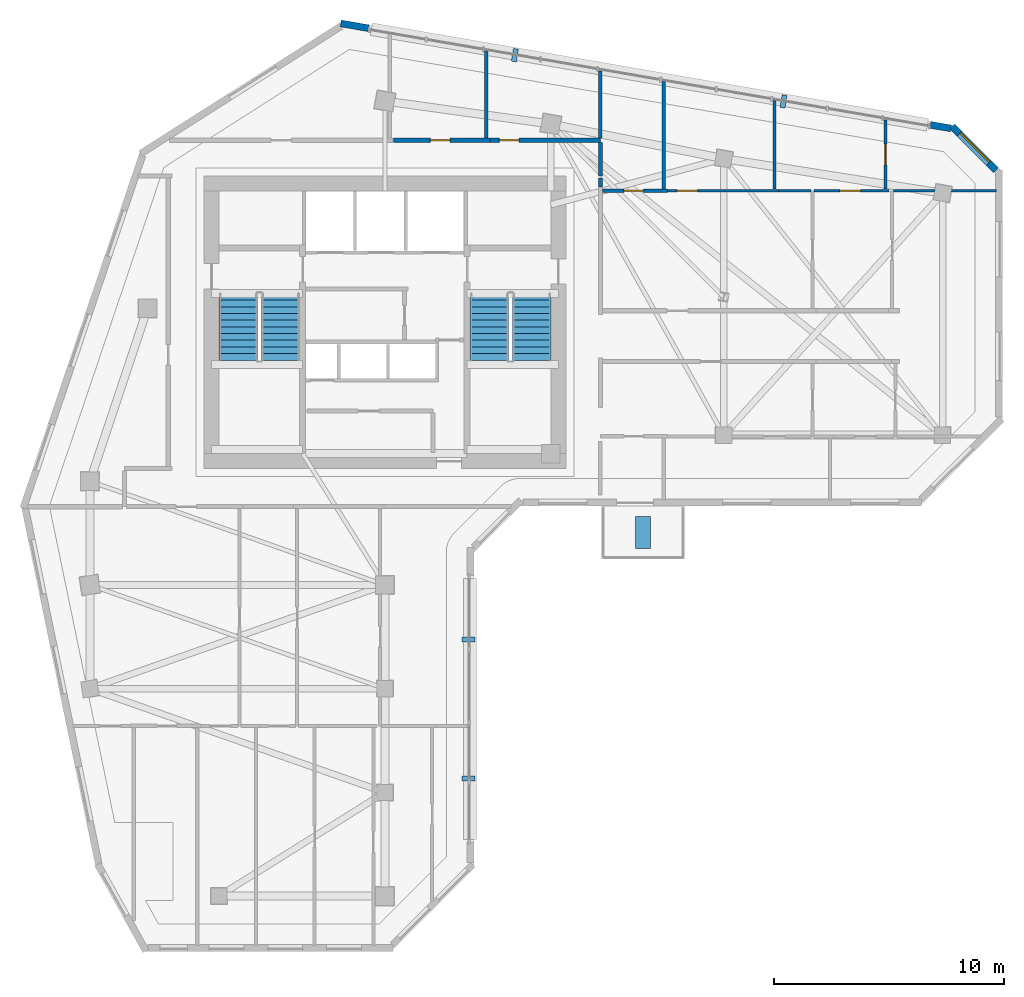
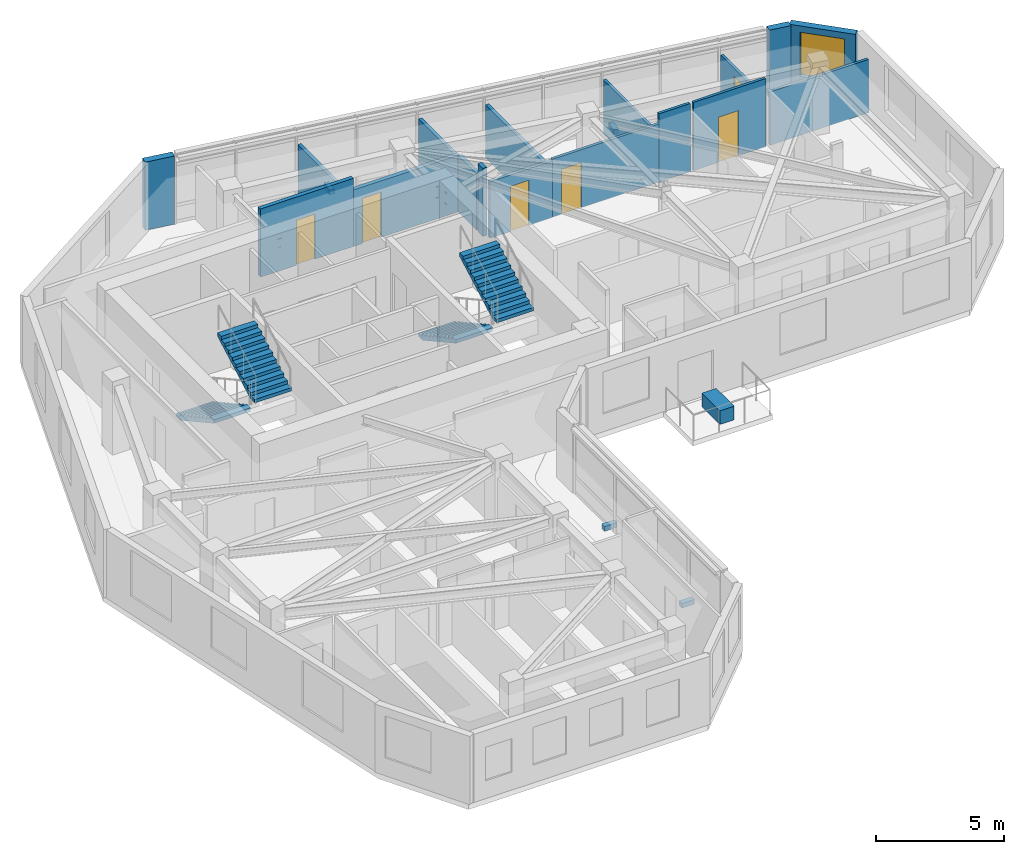
# One storey, part 8 of 11: 17 walls, 6 doors, 5 discrete accessories, 4 stair flights, 1 window, 7 openings, 2 elements without a shape of their own.
"""IFC4 building model written with IfcOpenShell, lengths in metres."""

import ifcopenshell
import ifcopenshell.guid

model = None  # the IFC model being written
_history = None  # IfcOwnerHistory: only IFC2X3 demands one
_inside = {}  # id of a spatial element -> (the spatial element, [elements in it])
_under = {}  # id of a project, library or spatial element -> (it, [spatial elements below it])
_declared = {}  # id of a project -> (the project, [libraries it declares])
_typed = {}  # id of a type object -> (the type object, [elements of that type])
_made_of = {}  # id of a material, layer set ... -> (it, [elements and type objects made of it])


def new_model(schema):
    """Start an empty IFC model of exactly this schema.

    Asked for "IFC4X3", IfcOpenShell would pick the latest addendum, in which some entities
    have other attributes; the version numbers below select the first issue.
    IFC2X3 requires an IfcOwnerHistory on every rooted entity: one is made here for all.
    """
    global model, _history
    if schema == "IFC4X3":
        model = ifcopenshell.file(schema_version=(4, 3, 0, 0))
    else:
        model = ifcopenshell.file(schema=schema)
    _inside.clear()
    _under.clear()
    _declared.clear()
    _typed.clear()
    _made_of.clear()
    _history = None
    if model.schema == "IFC2X3":
        org = make("IfcOrganization", Name="unknown")
        user = make(
            "IfcPersonAndOrganization",
            ThePerson=make("IfcPerson", FamilyName="unknown"),
            TheOrganization=org,
        )
        app = make(
            "IfcApplication",
            ApplicationDeveloper=org,
            Version="unknown",
            ApplicationFullName="unknown",
            ApplicationIdentifier="unknown",
        )
        _history = make(
            "IfcOwnerHistory",
            OwningUser=user,
            OwningApplication=app,
            ChangeAction="ADDED",
            CreationDate=0,
        )
    return model


def make(cls, **values):
    """One entity of the class cls with the attributes given. An attribute that is None is left unset."""
    return model.create_entity(
        cls, **{name: value for name, value in values.items() if value is not None}
    )


def rooted(cls, **values):
    """An entity with a GlobalId (a new one), such as an element, a storey or a relation."""
    return make(cls, GlobalId=ifcopenshell.guid.new(), OwnerHistory=_history, **values)


def si_unit(unit_type, name, prefix=None):
    """IfcSIUnit, for example si_unit("LENGTHUNIT", "METRE", prefix="MILLI")."""
    return make("IfcSIUnit", UnitType=unit_type, Prefix=prefix, Name=name)


def assignment(units):
    """IfcUnitAssignment: the units of a project."""
    return None if units is None else make("IfcUnitAssignment", Units=units)


def point(xyz):
    """IfcCartesianPoint."""
    return None if xyz is None else make("IfcCartesianPoint", Coordinates=xyz)


def direction(xyz):
    """IfcDirection."""
    return None if xyz is None else make("IfcDirection", DirectionRatios=xyz)


def frame(location, z_axis=None, x_axis=None):
    """IfcAxis2Placement3D, a coordinate frame: its origin and axes. An axis left out is left unset."""
    return make(
        "IfcAxis2Placement3D",
        Location=point(location),
        Axis=direction(z_axis),
        RefDirection=direction(x_axis),
    )


def frame_2d(location, x_axis=None):
    """IfcAxis2Placement2D, a coordinate frame in the plane: its origin and x axis."""
    return make(
        "IfcAxis2Placement2D", Location=point(location), RefDirection=direction(x_axis)
    )


def origin():
    """The frame at (0, 0, 0) with its axes left unset."""
    return frame((0.0, 0.0, 0.0))


def origin_2d():
    """The frame at (0, 0) in the plane with its x axis left unset."""
    return frame_2d((0.0, 0.0))


def place(relative_to, where):
    """IfcLocalPlacement: puts the frame where relative to a parent placement (None: the world)."""
    return make(
        "IfcLocalPlacement", PlacementRelTo=relative_to, RelativePlacement=where
    )


def context(
    kind, dimensions, precision=None, world=None, true_north=None, identifier=None
):
    """IfcGeometricRepresentationContext, for example the 3D "Model" context."""
    return make(
        "IfcGeometricRepresentationContext",
        ContextIdentifier=identifier,
        ContextType=kind,
        CoordinateSpaceDimension=dimensions,
        Precision=precision,
        WorldCoordinateSystem=world,
        TrueNorth=true_north,
    )


def subcontext(parent, identifier, kind, view, scale=None):
    """IfcGeometricRepresentationSubContext, for example "Body" below "Model"."""
    return make(
        "IfcGeometricRepresentationSubContext",
        ContextIdentifier=identifier,
        ContextType=kind,
        ParentContext=parent,
        TargetScale=scale,
        TargetView=view,
    )


def project(units=None, contexts=None):
    """IfcProject with its units and contexts."""
    return rooted(
        "IfcProject",
        Name="project",
        RepresentationContexts=contexts,
        UnitsInContext=assignment(units),
    )


def spatial(cls, under=None, at=None, **own):
    """A site, building, storey or space (cls), placed at a placement, below another one or the project."""
    s = rooted(cls, ObjectPlacement=at, **own)
    if under is not None:
        _under.setdefault(under.id(), (under, []))[1].append(s)
    return s


def polyline(points):
    """IfcPolyline through the points."""
    return make("IfcPolyline", Points=[point(p) for p in points])


def profile(cls, at=None, kind="AREA", **sizes):
    """A parametric profile (cls). Its sizes go by their IFC names, for example OverallWidth=200.0."""
    return make(cls, ProfileType=kind, Position=at, **sizes)


def rectangle(**sizes):
    """IfcRectangleProfileDef."""
    return profile("IfcRectangleProfileDef", **sizes)


def outline(outer, holes=None, kind="AREA"):
    """IfcArbitraryClosedProfileDef: a profile drawn as a closed curve; with holes, ...WithVoids."""
    if holes is None:
        return make("IfcArbitraryClosedProfileDef", ProfileType=kind, OuterCurve=outer)
    return make(
        "IfcArbitraryProfileDefWithVoids",
        ProfileType=kind,
        OuterCurve=outer,
        InnerCurves=holes,
    )


def extrude(swept, where, along, depth):
    """IfcExtrudedAreaSolid: the profile swept, set in the frame where, extruded along a direction by depth."""
    return make(
        "IfcExtrudedAreaSolid",
        SweptArea=swept,
        Position=where,
        ExtrudedDirection=direction(along),
        Depth=depth,
    )


def shape(context_of_items, identifier, shape_type, items):
    """IfcShapeRepresentation: the items that make up one representation, for example the "Body"."""
    return make(
        "IfcShapeRepresentation",
        ContextOfItems=context_of_items,
        RepresentationIdentifier=identifier,
        RepresentationType=shape_type,
        Items=items,
    )


def source(mapping_origin, context_of_items, identifier, shape_type, items):
    """IfcRepresentationMap: a shape defined once, which mapped items show again and again."""
    return make(
        "IfcRepresentationMap",
        MappingOrigin=mapping_origin,
        MappedRepresentation=shape(context_of_items, identifier, shape_type, items),
    )


def transform(
    local_origin,
    x_axis=None,
    y_axis=None,
    z_axis=None,
    scale=None,
    scale2=None,
    scale3=None,
    uniform=True,
):
    """IfcCartesianTransformationOperator3D, or its non-uniform kind. x_axis, y_axis, z_axis: its Axis1, 2, 3."""
    if uniform:
        return make(
            "IfcCartesianTransformationOperator3D",
            Axis1=direction(x_axis),
            Axis2=direction(y_axis),
            LocalOrigin=point(local_origin),
            Scale=scale,
            Axis3=direction(z_axis),
        )
    return make(
        "IfcCartesianTransformationOperator3DnonUniform",
        Axis1=direction(x_axis),
        Axis2=direction(y_axis),
        LocalOrigin=point(local_origin),
        Scale=scale,
        Axis3=direction(z_axis),
        Scale2=scale2,
        Scale3=scale3,
    )


def mapped(mapping_source, mapping_target):
    """IfcMappedItem: shows the shape of a source again, moved by a transform."""
    return make(
        "IfcMappedItem", MappingSource=mapping_source, MappingTarget=mapping_target
    )


def material(Name=None, Category=None):
    """IfcMaterial."""
    return make("IfcMaterial", Name=Name, Category=Category)


def layer(
    of_material, thickness, ventilated=None, Name=None, Category=None, Priority=None
):
    """IfcMaterialLayer: one layer of a wall or slab, of a material (None: an air gap)."""
    return make(
        "IfcMaterialLayer",
        Material=of_material,
        LayerThickness=thickness,
        IsVentilated=ventilated,
        Name=Name,
        Category=Category,
        Priority=Priority,
    )


def layer_set(layers, Name=None):
    """IfcMaterialLayerSet."""
    return make("IfcMaterialLayerSet", MaterialLayers=layers, LayerSetName=Name)


def made_of(thing, what):
    """Note that an element or type object is made of a material, layer set ...; save() writes the relation."""
    if what is not None:
        _made_of.setdefault(what.id(), (what, []))[1].append(thing)
    return thing


def type_object(cls, material=None, **own):
    """A type object (cls), such as IfcWallType, which elements share."""
    return made_of(rooted(cls, **own), material)


def element(
    cls,
    number,
    at=None,
    inside=None,
    cuts=None,
    type_object=None,
    material=None,
    context=None,
    identifier="Body",
    shape_type=None,
    held_by="IfcProductDefinitionShape",
    body=None,
    shapes=None,
    **own,
):
    """One element of the class cls, such as IfcWall. Its Tag is "e" and its number.

    at: its placement. inside: the storey or other place that contains it. cuts: it is an
    opening in that element (IfcRelVoidsElement). A single representation is given by context,
    identifier, shape_type and body (its items); several are given by shapes. held_by: the class
    of the entity that holds the representations. save() writes the other relations.
    """
    e = rooted(cls, Tag="e%d" % number, ObjectPlacement=at, **own)
    if body is not None:
        shapes = [shape(context, identifier, shape_type, body)]
    if shapes is not None:
        e.Representation = make(held_by, Representations=shapes)
    if inside is not None:
        _inside.setdefault(inside.id(), (inside, []))[1].append(e)
    if cuts is not None:
        rooted(
            "IfcRelVoidsElement", RelatingBuildingElement=cuts, RelatedOpeningElement=e
        )
    if type_object is not None:
        _typed.setdefault(type_object.id(), (type_object, []))[1].append(e)
    return made_of(e, material)


def fill(opening, filler):
    """IfcRelFillsElement: the door or window that sits in an opening."""
    return rooted(
        "IfcRelFillsElement",
        RelatingOpeningElement=opening,
        RelatedBuildingElement=filler,
    )


def aggregate(whole, parts):
    """IfcRelAggregates: a whole, such as a stair, and the parts it consists of."""
    return rooted("IfcRelAggregates", RelatingObject=whole, RelatedObjects=parts)


def save(model, path):
    """Write the relations noted so far, then the file.

    IfcRelAggregates (storeys below a building ...), IfcRelContainedInSpatialStructure (elements
    in a storey), IfcRelDefinesByType, IfcRelAssociatesMaterial and IfcRelDeclares: one each for
    every whole, place, type object, material and project.
    """
    for whole, parts in _under.values():
        aggregate(whole, parts)
    for where, things in _inside.values():
        rooted(
            "IfcRelContainedInSpatialStructure",
            RelatedElements=things,
            RelatingStructure=where,
        )
    for kind, things in _typed.values():
        rooted("IfcRelDefinesByType", RelatedObjects=things, RelatingType=kind)
    for what, things in _made_of.values():
        rooted("IfcRelAssociatesMaterial", RelatedObjects=things, RelatingMaterial=what)
    for by, libraries in _declared.values():
        rooted("IfcRelDeclares", RelatingContext=by, RelatedDefinitions=libraries)
    model.write(path)


model = new_model("IFC4")

# Units and contexts
model_context = context("Model", 3, precision=1e-05, world=origin(), true_north=direction((0.0, 1.0)))
body_context = subcontext(model_context, "Body", "Model", "MODEL_VIEW")
ifc_project = project(units=[si_unit("LENGTHUNIT", "METRE"), si_unit("AREAUNIT", "SQUARE_METRE"), si_unit("VOLUMEUNIT", "CUBIC_METRE"), si_unit("PLANEANGLEUNIT", "RADIAN"), si_unit("MASSUNIT", "GRAM", prefix="KILO")], contexts=[model_context])

# Site, building, storey
site_placement = place(None, origin())
site = spatial("IfcSite", under=ifc_project, at=site_placement, CompositionType="ELEMENT")
building_placement = place(site_placement, origin())
building = spatial("IfcBuilding", under=site, at=building_placement, Name="Calvemar Wedge Station Tower", CompositionType="ELEMENT")
storey_placement = place(building_placement, frame((0.0, 0.0, 183.39990234375)))
storey = spatial("IfcBuildingStorey", under=building, at=storey_placement, Name="L45", CompositionType="ELEMENT", Elevation=183.39990234375)

# Wall, opening, door
ifc_material_1 = material(Name="Double-stud fire-rated corridor partition")
ifc_layer_1 = layer(ifc_material_1, 0.179931640625)
ifc_layer_set_1 = layer_set([ifc_layer_1], Name="Double-stud fire-rated corridor partition")
wall_type_1 = type_object("IfcWallType", Name="W-CORR-180", PredefinedType="PARTITIONING", material=ifc_layer_set_1)
wall_1_placement = place(storey_placement, frame((24.162109375, 47.800048828125, 0.0), z_axis=(0.0, 0.0, 1.0), x_axis=(1.0, 0.0, 0.0)))
wall_1 = element("IfcWall", 1, at=wall_1_placement, inside=storey, type_object=wall_type_1, Name="Storey L45 Interior Partition WL-L45-015", PredefinedType="PARTITIONING", context=body_context, shape_type="SweptSolid", body=[
    extrude(rectangle(XDim=4.197998046875, YDim=0.179931640625, at=frame_2d((2.09912109375, 0.0))), origin(), (0.0, 0.0, 1.0), 3.25),
])
shared_shape_1 = source(origin(), body_context, "Body", "SweptSolid", [
    extrude(rectangle(XDim=0.85009765625, YDim=2.14990234375, at=frame_2d((0.425048828125, 1.074951171875))), frame((0.0, 0.10009765625, 0.0), z_axis=(0.0, -1.0, 0.0), x_axis=(1.0, 0.0, 0.0)), (0.0, 0.0, 1.0), 0.199951171875),
])
opening_1_placement = place(wall_1_placement, frame((1.61328125, 0.0, 0.0)))
opening_1 = element("IfcOpeningElement", 2, at=opening_1_placement, cuts=wall_1, Name="Opening D-02", PredefinedType="OPENING", context=body_context, shape_type="MappedRepresentation", body=[
    mapped(shared_shape_1, transform((0.0, 0.0, 0.0), scale=1.0)),
])
ifc_material_2 = material(Name="Moisture-sealed bathroom hardwood swing door", Category="wood")
door_type_1 = type_object("IfcDoorType", Name="DR-WET-850", OperationType="NOTDEFINED", PredefinedType="DOOR", material=ifc_material_2)
shared_shape_2 = source(origin(), body_context, "Body", "SweptSolid", [
    extrude(rectangle(XDim=0.85009765625, YDim=2.14990234375, at=frame_2d((0.425048828125, 1.074951171875))), frame((0.0, 0.02490234375, 0.0), z_axis=(0.0, -1.0, 0.0), x_axis=(1.0, 0.0, 0.0)), (0.0, 0.0, 1.0), 0.050048828125),
])
door_1_placement = place(opening_1_placement, origin())
door_1 = element("IfcDoor", 3, at=door_1_placement, inside=storey, type_object=door_type_1, Name="L45 Accessible WC Door", OperationType="SINGLE_SWING_LEFT", OverallHeight=2.14990234375, OverallWidth=0.85009765625, PredefinedType="DOOR", context=body_context, shape_type="MappedRepresentation", body=[
    mapped(shared_shape_2, transform((0.0, 0.0, 0.0), scale=1.0)),
])
fill(opening_1, door_1)

wall_2_placement = place(storey_placement, frame((28.362060546875, 47.800048828125, 0.0), z_axis=(0.0, 0.0, 1.0), x_axis=(1.0, 0.0, 0.0)))
wall_2 = element("IfcWall", 4, at=wall_2_placement, inside=storey, type_object=wall_type_1, Name="Storey L45 Interior Partition WL-L45-016", PredefinedType="PARTITIONING", context=body_context, shape_type="SweptSolid", body=[
    extrude(rectangle(XDim=4.787841796875, YDim=0.179931640625, at=frame_2d((2.39404296875, 0.0))), origin(), (0.0, 0.0, 1.0), 2.68798828125),
])
opening_2_placement = place(wall_2_placement, frame((0.400634765625, 0.0, 0.0)))
opening_2 = element("IfcOpeningElement", 5, at=opening_2_placement, cuts=wall_2, Name="Opening D-02", PredefinedType="OPENING", context=body_context, shape_type="MappedRepresentation", body=[
    mapped(shared_shape_1, transform((0.0, 0.0, 0.0), scale=1.0)),
])
door_2_placement = place(opening_2_placement, origin())
door_2 = element("IfcDoor", 6, at=door_2_placement, inside=storey, type_object=door_type_1, Name="L45 Storage Room Door", OperationType="SINGLE_SWING_RIGHT", OverallHeight=2.14990234375, OverallWidth=0.85009765625, PredefinedType="DOOR", context=body_context, shape_type="MappedRepresentation", body=[
    mapped(shared_shape_2, transform((0.0, 0.0, 0.0), scale=1.0)),
])
fill(opening_2, door_2)

# Walls
wall_3_placement = place(storey_placement, frame((33.14990234375, 47.7060546875, 0.0), z_axis=(0.0, 0.0, 1.0), x_axis=(0.0, -1.0, 0.0)))
element("IfcWall", 7, at=wall_3_placement, inside=storey, type_object=wall_type_1, Name="Storey L45 Interior Partition WL-L45-017", PredefinedType="PARTITIONING", context=body_context, shape_type="SweptSolid", body=[
    extrude(rectangle(XDim=1.4560546875, YDim=0.179931640625, at=frame_2d((0.72802734375, 0.0))), origin(), (0.0, 0.0, 1.0), 2.68798828125),
])
wall_4_placement = place(storey_placement, frame((33.14990234375, 46.156005859375, 0.0), z_axis=(0.0, 0.0, 1.0), x_axis=(0.0, -1.0, 0.0)))
element("IfcWall", 8, at=wall_4_placement, inside=storey, type_object=wall_type_1, Name="Storey L45 Interior Partition WL-L45-019", PredefinedType="PARTITIONING", context=body_context, shape_type="SweptSolid", body=[
    extrude(rectangle(XDim=0.387939453125, YDim=0.179931640625, at=frame_2d((0.19384765625, 0.0))), origin(), (0.0, 0.0, 1.0), 3.25),
])

# Wall, opening, window
ifc_material_3 = material(Name="Precast concrete C45", Category="concrete")
ifc_layer_2 = layer(ifc_material_3, 0.300048828125)
ifc_layer_set_2 = layer_set([ifc_layer_2], Name="Precast concrete C45")
wall_type_2 = type_object("IfcWallType", Name="W-EXT-GFRC-300", PredefinedType="SOLIDWALL", material=ifc_layer_set_2)
wall_5_placement = place(storey_placement, frame((50.31201171875, 46.5, 0.0), z_axis=(0.0, 0.0, 1.0), x_axis=(-0.707106781187, 0.707106781187, 0.0)))
wall_5 = element("IfcWall", 9, at=wall_5_placement, inside=storey, type_object=wall_type_2, Name="Storey L45 Bronze GFRC Exterior Wall 9", PredefinedType="SOLIDWALL", context=body_context, shape_type="SweptSolid", body=[
    extrude(rectangle(XDim=2.67333984375, YDim=0.300048828125, at=frame_2d((1.336669921875, 0.0))), origin(), (0.0, 0.0, 1.0), 3.25),
])
shared_shape_3 = source(origin(), body_context, "Body", "SweptSolid", [
    extrude(rectangle(XDim=1.800048828125, YDim=2.10009765625, at=frame_2d((0.89990234375, 1.050048828125))), frame((0.0, 0.16015625, 0.0), z_axis=(0.0, -1.0, 0.0), x_axis=(1.0, 0.0, 0.0)), (0.0, 0.0, 1.0), 0.320068359375),
])
opening_3_placement = place(wall_5_placement, frame((0.43701171875, 0.0, 0.85009765625)))
opening_3 = element("IfcOpeningElement", 10, at=opening_3_placement, cuts=wall_5, Name="Opening W2", PredefinedType="OPENING", context=body_context, shape_type="MappedRepresentation", body=[
    mapped(shared_shape_3, transform((0.0, 0.0, 0.0), scale=1.0)),
])
ifc_material_4 = material(Name="Low-E laminated insulated glass", Category="glass")
window_type = type_object("IfcWindowType", Name="WIN-EXT-2", PartitioningType="SINGLE_PANEL", PredefinedType="WINDOW", material=ifc_material_4)
shared_shape_4 = source(origin(), body_context, "Body", "SweptSolid", [
    extrude(rectangle(XDim=1.800048828125, YDim=2.10009765625, at=frame_2d((0.89990234375, 1.050048828125))), frame((0.0, -0.014892578125, 0.0), z_axis=(0.0, -1.0, 0.0), x_axis=(1.0, 0.0, 0.0)), (0.0, 0.0, 1.0), 0.06005859375),
])
window_placement = place(opening_3_placement, origin())
window = element("IfcWindow", 11, at=window_placement, inside=storey, type_object=window_type, Name="Storey L45 Recessed Window 9.1", OverallHeight=2.10009765625, OverallWidth=1.800048828125, PartitioningType="SINGLE_PANEL", PredefinedType="WINDOW", context=body_context, shape_type="MappedRepresentation", body=[
    mapped(shared_shape_4, transform((0.0, 0.0, 0.0), scale=1.0)),
])
fill(opening_3, window)

# Walls
wall_6_placement = place(storey_placement, frame((48.361083984375, 48.31298828125, 0.0), z_axis=(0.0, 0.0, 1.0), x_axis=(-0.985560806516, 0.169321872949, 0.0)))
element("IfcWall", 12, at=wall_6_placement, inside=storey, type_object=wall_type_2, Name="Storey L45 Bronze GFRC Corner Pier 10A", PredefinedType="SOLIDWALL", context=body_context, shape_type="SweptSolid", body=[
    extrude(rectangle(XDim=0.908447265625, YDim=0.300048828125, at=frame_2d((0.4541015625, 0.0))), origin(), (0.0, 0.0, 1.0), 3.25),
])
wall_7_placement = place(storey_placement, frame((23.093505859375, 52.65966796875, 0.0), z_axis=(0.0, 0.0, 1.0), x_axis=(-0.985503719785, 0.169653818966, 0.0)))
element("IfcWall", 13, at=wall_7_placement, inside=storey, type_object=wall_type_2, Name="Storey L45 Bronze GFRC Corner Pier 10B", PredefinedType="SOLIDWALL", context=body_context, shape_type="SweptSolid", body=[
    extrude(rectangle(XDim=1.2275390625, YDim=0.300048828125, at=frame_2d((0.61376953125, 0.0))), origin(), (0.0, 0.0, 1.0), 3.25),
])
ifc_material_5 = material(Name="Insulated acoustic gypsum stud partition")
ifc_layer_3 = layer(ifc_material_5, 0.125)
ifc_layer_set_3 = layer_set([ifc_layer_3], Name="Insulated acoustic gypsum stud partition")
wall_type_3 = type_object("IfcWallType", Name="W-PART-125", PredefinedType="PARTITIONING", material=ifc_layer_set_3)
wall_8_placement = place(storey_placement, frame((45.87451171875, 45.60595703125, 0.0), z_axis=(0.0, 0.0, 1.0), x_axis=(1.0, 0.0, 0.0)))
element("IfcWall", 14, at=wall_8_placement, inside=storey, type_object=wall_type_3, Name="Storey L45 Interior Partition WL-L45-032", PredefinedType="PARTITIONING", context=body_context, shape_type="SweptSolid", body=[
    extrude(rectangle(XDim=4.46044921875, YDim=0.125, at=frame_2d((2.230224609375, 0.0))), origin(), (0.0, 0.0, 1.0), 2.5419921875),
])

# Wall, opening, door
wall_9_placement = place(storey_placement, frame((36.06201171875, 45.60595703125, 0.0), z_axis=(0.0, 0.0, 1.0), x_axis=(1.0, 0.0, 0.0)))
wall_9 = element("IfcWall", 15, at=wall_9_placement, inside=storey, type_object=wall_type_3, Name="Storey L45 Interior Partition WL-L45-035", PredefinedType="PARTITIONING", context=body_context, shape_type="SweptSolid", body=[
    extrude(rectangle(XDim=4.81005859375, YDim=0.125, at=frame_2d((2.405029296875, 0.0))), origin(), (0.0, 0.0, 1.0), 2.76611328125),
])
shared_shape_5 = source(origin(), body_context, "Body", "SweptSolid", [
    extrude(rectangle(XDim=0.89990234375, YDim=2.14990234375, at=frame_2d((0.449951171875, 1.074951171875))), frame((0.0, 0.072509765625, 0.0), z_axis=(0.0, -1.0, 0.0), x_axis=(1.0, 0.0, 0.0)), (0.0, 0.0, 1.0), 0.14501953125),
])
opening_4_placement = place(wall_9_placement, frame((0.404052734375, 0.0, 0.0)))
opening_4 = element("IfcOpeningElement", 16, at=opening_4_placement, cuts=wall_9, Name="Opening D-01", PredefinedType="OPENING", context=body_context, shape_type="MappedRepresentation", body=[
    mapped(shared_shape_5, transform((0.0, 0.0, 0.0), scale=1.0)),
])
ifc_material_6 = material(Name="Architectural hardwood acoustic swing door", Category="wood")
door_type_2 = type_object("IfcDoorType", Name="DR-INT-900", OperationType="NOTDEFINED", PredefinedType="DOOR", material=ifc_material_6)
shared_shape_6 = source(origin(), body_context, "Body", "SweptSolid", [
    extrude(rectangle(XDim=0.89990234375, YDim=2.14990234375, at=frame_2d((0.449951171875, 1.074951171875))), frame((0.0, 0.02490234375, 0.0), z_axis=(0.0, -1.0, 0.0), x_axis=(1.0, 0.0, 0.0)), (0.0, 0.0, 1.0), 0.050048828125),
])
door_3_placement = place(opening_4_placement, origin())
door_3 = element("IfcDoor", 17, at=door_3_placement, inside=storey, type_object=door_type_2, Name="L45 Master Bedroom Door", OperationType="SINGLE_SWING_LEFT", OverallHeight=2.14990234375, OverallWidth=0.89990234375, PredefinedType="DOOR", context=body_context, shape_type="MappedRepresentation", body=[
    mapped(shared_shape_6, transform((0.0, 0.0, 0.0), scale=1.0)),
])
fill(opening_4, door_3)

# Wall
wall_10_placement = place(storey_placement, frame((40.8740234375, 45.60595703125, 0.0), z_axis=(0.0, 0.0, 1.0), x_axis=(1.0, 0.0, 0.0)))
element("IfcWall", 18, at=wall_10_placement, inside=storey, type_object=wall_type_3, Name="Storey L45 Interior Partition WL-L45-036", PredefinedType="PARTITIONING", context=body_context, shape_type="SweptSolid", body=[
    extrude(rectangle(XDim=1.409423828125, YDim=0.125, at=frame_2d((0.70458984375, 0.0))), origin(), (0.0, 0.0, 1.0), 3.25),
])

# Wall, opening, door
wall_11_placement = place(storey_placement, frame((42.41650390625, 45.60595703125, 0.0), z_axis=(0.0, 0.0, 1.0), x_axis=(1.0, 0.0, 0.0)))
wall_11 = element("IfcWall", 19, at=wall_11_placement, inside=storey, type_object=wall_type_3, Name="Storey L45 Interior Partition WL-L45-037", PredefinedType="PARTITIONING", context=body_context, shape_type="SweptSolid", body=[
    extrude(rectangle(XDim=3.2666015625, YDim=0.125, at=frame_2d((1.63330078125, 0.0))), origin(), (0.0, 0.0, 1.0), 3.25),
])
opening_5_placement = place(wall_11_placement, frame((1.123046875, 0.0, 0.0)))
opening_5 = element("IfcOpeningElement", 20, at=opening_5_placement, cuts=wall_11, Name="Opening D-01", PredefinedType="OPENING", context=body_context, shape_type="MappedRepresentation", body=[
    mapped(shared_shape_5, transform((0.0, 0.0, 0.0), scale=1.0)),
])
door_4_placement = place(opening_5_placement, origin())
door_4 = element("IfcDoor", 21, at=door_4_placement, inside=storey, type_object=door_type_2, Name="L45 Bedroom Door", OperationType="SINGLE_SWING_RIGHT", OverallHeight=2.14990234375, OverallWidth=0.89990234375, PredefinedType="DOOR", context=body_context, shape_type="MappedRepresentation", body=[
    mapped(shared_shape_6, transform((0.0, 0.0, 0.0), scale=1.0)),
])
fill(opening_5, door_4)

# Wall
wall_12_placement = place(storey_placement, frame((40.7119140625, 49.51220703125, 0.0), z_axis=(0.0, 0.0, 1.0), x_axis=(0.0, -1.0, 0.0)))
element("IfcWall", 22, at=wall_12_placement, inside=storey, type_object=wall_type_3, Name="Storey L45 Interior Partition WL-L45-039", PredefinedType="PARTITIONING", context=body_context, shape_type="SweptSolid", body=[
    extrude(rectangle(XDim=3.839599609375, YDim=0.125, at=frame_2d((1.919921875, 0.0))), origin(), (0.0, 0.0, 1.0), 2.5419921875),
])

# Wall, opening, door
wall_13_placement = place(storey_placement, frame((45.52294921875, 48.684326171875, 0.0), z_axis=(0.0, 0.0, 1.0), x_axis=(0.0, -1.0, 0.0)))
wall_13 = element("IfcWall", 23, at=wall_13_placement, inside=storey, type_object=wall_type_3, Name="Storey L45 Interior Partition WL-L45-040", PredefinedType="PARTITIONING", context=body_context, shape_type="SweptSolid", body=[
    extrude(rectangle(XDim=3.01171875, YDim=0.125, at=frame_2d((1.505859375, 0.0))), origin(), (0.0, 0.0, 1.0), 2.5419921875),
])
opening_6_placement = place(wall_13_placement, frame((1.055908203125, 0.0, 0.0)))
opening_6 = element("IfcOpeningElement", 24, at=opening_6_placement, cuts=wall_13, Name="Opening D-01", PredefinedType="OPENING", context=body_context, shape_type="MappedRepresentation", body=[
    mapped(shared_shape_5, transform((0.0, 0.0, 0.0), scale=1.0)),
])
door_5_placement = place(opening_6_placement, origin())
door_5 = element("IfcDoor", 25, at=door_5_placement, inside=storey, type_object=door_type_2, Name="L45 Study Door", OperationType="SINGLE_SWING_LEFT", OverallHeight=2.14990234375, OverallWidth=0.89990234375, PredefinedType="DOOR", context=body_context, shape_type="MappedRepresentation", body=[
    mapped(shared_shape_6, transform((0.0, 0.0, 0.0), scale=1.0)),
])
fill(opening_6, door_5)

# Walls
ifc_material_7 = material(Name="Moisture-resistant acoustic bathroom partition")
ifc_layer_4 = layer(ifc_material_7, 0.14990234375)
ifc_layer_set_4 = layer_set([ifc_layer_4], Name="Moisture-resistant acoustic bathroom partition")
wall_type_4 = type_object("IfcWallType", Name="W-WET-150", PredefinedType="PARTITIONING", material=ifc_layer_set_4)
wall_14_placement = place(storey_placement, frame((28.199951171875, 51.66455078125, 0.0), z_axis=(0.0, 0.0, 1.0), x_axis=(0.0, -1.0, 0.0)))
element("IfcWall", 26, at=wall_14_placement, inside=storey, type_object=wall_type_4, Name="Storey L45 Interior Partition WL-L45-023", PredefinedType="PARTITIONING", context=body_context, shape_type="SweptSolid", body=[
    extrude(rectangle(XDim=3.7705078125, YDim=0.14990234375, at=frame_2d((1.88525390625, 0.0))), origin(), (0.0, 0.0, 1.0), 2.5419921875),
])
wall_15_placement = place(storey_placement, frame((33.14990234375, 50.81298828125, 0.0), z_axis=(0.0, 0.0, 1.0), x_axis=(0.0, -1.0, 0.0)))
element("IfcWall", 27, at=wall_15_placement, inside=storey, type_object=wall_type_4, Name="Storey L45 Interior Partition WL-L45-024", PredefinedType="PARTITIONING", context=body_context, shape_type="SweptSolid", body=[
    extrude(rectangle(XDim=2.9189453125, YDim=0.14990234375, at=frame_2d((1.45947265625, 0.0))), origin(), (0.0, 0.0, 1.0), 2.5419921875),
])

# Wall, opening, door
wall_16_placement = place(storey_placement, frame((33.243896484375, 45.60595703125, 0.0), z_axis=(0.0, 0.0, 1.0), x_axis=(1.0, 0.0, 0.0)))
wall_16 = element("IfcWall", 28, at=wall_16_placement, inside=storey, type_object=wall_type_4, Name="Storey L45 Interior Partition WL-L45-034", PredefinedType="PARTITIONING", context=body_context, shape_type="SweptSolid", body=[
    extrude(rectangle(XDim=2.816162109375, YDim=0.14990234375, at=frame_2d((1.408203125, 0.0))), origin(), (0.0, 0.0, 1.0), 2.68798828125),
])
shared_shape_7 = source(origin(), body_context, "Body", "SweptSolid", [
    extrude(rectangle(XDim=0.85009765625, YDim=2.14990234375, at=frame_2d((0.425048828125, 1.074951171875))), frame((0.0, 0.0849609375, 0.0), z_axis=(0.0, -1.0, 0.0), x_axis=(1.0, 0.0, 0.0)), (0.0, 0.0, 1.0), 0.169921875),
])
opening_7_placement = place(wall_16_placement, frame((0.919189453125, 0.0, 0.0)))
opening_7 = element("IfcOpeningElement", 29, at=opening_7_placement, cuts=wall_16, Name="Opening D-02", PredefinedType="OPENING", context=body_context, shape_type="MappedRepresentation", body=[
    mapped(shared_shape_7, transform((0.0, 0.0, 0.0), scale=1.0)),
])
door_6_placement = place(opening_7_placement, origin())
door_6 = element("IfcDoor", 30, at=door_6_placement, inside=storey, type_object=door_type_1, Name="L45 Bathroom Door", OperationType="SINGLE_SWING_RIGHT", OverallHeight=2.14990234375, OverallWidth=0.85009765625, PredefinedType="DOOR", context=body_context, shape_type="MappedRepresentation", body=[
    mapped(shared_shape_2, transform((0.0, 0.0, 0.0), scale=1.0)),
])
fill(opening_7, door_6)

# Wall
wall_17_placement = place(storey_placement, frame((35.89990234375, 50.33984375, 0.0), z_axis=(0.0, 0.0, 1.0), x_axis=(0.0, -1.0, 0.0)))
element("IfcWall", 31, at=wall_17_placement, inside=storey, type_object=wall_type_4, Name="Storey L45 Interior Partition WL-L45-038", PredefinedType="PARTITIONING", context=body_context, shape_type="SweptSolid", body=[
    extrude(rectangle(XDim=4.65478515625, YDim=0.14990234375, at=frame_2d((2.327392578125, 0.0))), origin(), (0.0, 0.0, 1.0), 2.5419921875),
])

# Stair, stair flights
ifc_material_8 = material(Name="Concrete C45", Category="concrete")
stair_type = type_object("IfcStairType", Name="ST-TYPE-3500", PredefinedType="HALF_TURN_STAIR", material=ifc_material_8)
stair_1_placement = place(storey_placement, origin())
stair_1 = element("IfcStair", 32, at=stair_1_placement, inside=storey, type_object=stair_type, Name="L45 Pressurized Core Exit Stair ST-C1", PredefinedType="HALF_TURN_STAIR")
stair_flight_type = type_object("IfcStairFlightType", Name="STF-TYPE-3500", PredefinedType="STRAIGHT", material=ifc_material_8)
stair_flight_1_placement = place(storey_placement, frame((17.429931640625, 41.14990234375, 0.0), z_axis=(0.0, 0.0, 1.0), x_axis=(0.0, -1.0, 0.0)))
stair_flight_1 = element("IfcStairFlight", 33, at=stair_flight_1_placement, type_object=stair_flight_type, Name="ST-C1 flight 1", NumberOfRisers=11, NumberOfTreads=10, PredefinedType="STRAIGHT", RiserHeight=0.159090909, TreadLength=0.29, context=body_context, shape_type="SweptSolid", body=[
    extrude(outline(polyline([(0.0, 0.0), (0.0, 0.1591796875), (0.2900390625, 0.1591796875), (0.2900390625, 0.318115234375), (0.580078125, 0.318115234375), (0.580078125, 0.477294921875), (0.8701171875, 0.477294921875), (0.8701171875, 0.636474609375), (1.159912109375, 0.636474609375), (1.159912109375, 0.79541015625), (1.449951171875, 0.79541015625), (1.449951171875, 0.95458984375), (1.739990234375, 0.95458984375), (1.739990234375, 1.113525390625), (2.030029296875, 1.113525390625), (2.030029296875, 1.272705078125), (2.320068359375, 1.272705078125), (2.320068359375, 1.431884765625), (2.610107421875, 1.431884765625), (2.610107421875, 1.5908203125), (2.89990234375, 1.5908203125), (2.89990234375, 1.75), (2.89990234375, 1.419921875), (0.311767578125, 0.0), (0.0, 0.0)])), frame((0.0, 0.830078125, 0.0), z_axis=(0.0, -1.0, 0.0), x_axis=(1.0, 0.0, 0.0)), (0.0, 0.0, 1.0), 1.659912109375),
])
stair_flight_2_placement = place(storey_placement, frame((19.27001953125, 38.25, 1.75), z_axis=(0.0, 0.0, 1.0), x_axis=(0.0, 1.0, 0.0)))
stair_flight_2 = element("IfcStairFlight", 34, at=stair_flight_2_placement, type_object=stair_flight_type, Name="ST-C1 flight 2", NumberOfRisers=11, NumberOfTreads=10, PredefinedType="STRAIGHT", RiserHeight=0.159090909, TreadLength=0.29, context=body_context, shape_type="SweptSolid", body=[
    extrude(outline(polyline([(0.0, 0.0), (0.0, 0.1591796875), (0.2900390625, 0.1591796875), (0.2900390625, 0.318115234375), (0.580078125, 0.318115234375), (0.580078125, 0.477294921875), (0.8701171875, 0.477294921875), (0.8701171875, 0.636474609375), (1.159912109375, 0.636474609375), (1.159912109375, 0.79541015625), (1.449951171875, 0.79541015625), (1.449951171875, 0.95458984375), (1.739990234375, 0.95458984375), (1.739990234375, 1.113525390625), (2.030029296875, 1.113525390625), (2.030029296875, 1.272705078125), (2.320068359375, 1.272705078125), (2.320068359375, 1.431884765625), (2.610107421875, 1.431884765625), (2.610107421875, 1.5908203125), (2.89990234375, 1.5908203125), (2.89990234375, 1.75), (2.89990234375, 1.419921875), (0.311767578125, 0.0), (0.0, 0.0)])), frame((0.0, 0.830078125, 0.0), z_axis=(0.0, -1.0, 0.0), x_axis=(1.0, 0.0, 0.0)), (0.0, 0.0, 1.0), 1.659912109375),
])
aggregate(stair_1, [stair_flight_1, stair_flight_2])

stair_2_placement = place(storey_placement, origin())
stair_2 = element("IfcStair", 35, at=stair_2_placement, inside=storey, type_object=stair_type, Name="L45 Pressurized Core Exit Stair ST-C2", PredefinedType="HALF_TURN_STAIR")
stair_flight_3_placement = place(storey_placement, frame((28.330078125, 41.14990234375, 0.0), z_axis=(0.0, 0.0, 1.0), x_axis=(0.0, -1.0, 0.0)))
stair_flight_3 = element("IfcStairFlight", 36, at=stair_flight_3_placement, type_object=stair_flight_type, Name="ST-C2 flight 1", NumberOfRisers=11, NumberOfTreads=10, PredefinedType="STRAIGHT", RiserHeight=0.159090909, TreadLength=0.29, context=body_context, shape_type="SweptSolid", body=[
    extrude(outline(polyline([(0.0, 0.0), (0.0, 0.1591796875), (0.2900390625, 0.1591796875), (0.2900390625, 0.318115234375), (0.580078125, 0.318115234375), (0.580078125, 0.477294921875), (0.8701171875, 0.477294921875), (0.8701171875, 0.636474609375), (1.159912109375, 0.636474609375), (1.159912109375, 0.79541015625), (1.449951171875, 0.79541015625), (1.449951171875, 0.95458984375), (1.739990234375, 0.95458984375), (1.739990234375, 1.113525390625), (2.030029296875, 1.113525390625), (2.030029296875, 1.272705078125), (2.320068359375, 1.272705078125), (2.320068359375, 1.431884765625), (2.610107421875, 1.431884765625), (2.610107421875, 1.5908203125), (2.89990234375, 1.5908203125), (2.89990234375, 1.75), (2.89990234375, 1.419921875), (0.311767578125, 0.0), (0.0, 0.0)])), frame((0.0, 0.830078125, 0.0), z_axis=(0.0, -1.0, 0.0), x_axis=(1.0, 0.0, 0.0)), (0.0, 0.0, 1.0), 1.659912109375),
])
stair_flight_4_placement = place(storey_placement, frame((30.169921875, 38.25, 1.75), z_axis=(0.0, 0.0, 1.0), x_axis=(0.0, 1.0, 0.0)))
stair_flight_4 = element("IfcStairFlight", 37, at=stair_flight_4_placement, type_object=stair_flight_type, Name="ST-C2 flight 2", NumberOfRisers=11, NumberOfTreads=10, PredefinedType="STRAIGHT", RiserHeight=0.159090909, TreadLength=0.29, context=body_context, shape_type="SweptSolid", body=[
    extrude(outline(polyline([(0.0, 0.0), (0.0, 0.1591796875), (0.2900390625, 0.1591796875), (0.2900390625, 0.318115234375), (0.580078125, 0.318115234375), (0.580078125, 0.477294921875), (0.8701171875, 0.477294921875), (0.8701171875, 0.636474609375), (1.159912109375, 0.636474609375), (1.159912109375, 0.79541015625), (1.449951171875, 0.79541015625), (1.449951171875, 0.95458984375), (1.739990234375, 0.95458984375), (1.739990234375, 1.113525390625), (2.030029296875, 1.113525390625), (2.030029296875, 1.272705078125), (2.320068359375, 1.272705078125), (2.320068359375, 1.431884765625), (2.610107421875, 1.431884765625), (2.610107421875, 1.5908203125), (2.89990234375, 1.5908203125), (2.89990234375, 1.75), (2.89990234375, 1.419921875), (0.311767578125, 0.0), (0.0, 0.0)])), frame((0.0, 0.830078125, 0.0), z_axis=(0.0, -1.0, 0.0), x_axis=(1.0, 0.0, 0.0)), (0.0, 0.0, 1.0), 1.659912109375),
])
aggregate(stair_2, [stair_flight_3, stair_flight_4])

# Discrete accessories
ifc_material_9 = material(Name="Stainless steel AISI 316L", Category="steel")
discrete_accessory_type_1 = type_object("IfcDiscreteAccessoryType", Name="BRK-316L", PredefinedType="BRACKET", material=ifc_material_9)
shared_shape_8 = source(origin(), body_context, "Body", "SweptSolid", [
    extrude(rectangle(XDim=0.219970703125, YDim=0.56005859375, at=origin_2d()), origin(), (0.0, 0.0, 1.0), 0.219970703125),
])
for number, where, z_axis, x_axis, name in (
    (38, (27.43408203125, 20.10498046875, 0.0), (0.0, 0.0, 1.0), (0.0, 1.0, 0.0), "Storey L45 Recessed Facade Stainless Bracket 4.1"),
    (39, (27.43408203125, 26.143310546875, 0.0), (0.0, 0.0, 1.0), (0.0, 1.0, 0.0), "Storey L45 Recessed Facade Stainless Bracket 4.2"),
    (40, (41.09521484375, 49.481689453125, 0.0), (0.0, 0.0, 1.0), (-0.985526486983, 0.169521513251, 0.0), "Storey L45 Recessed Facade Stainless Bracket 10.1"),
    (41, (29.43701171875, 51.4873046875, 0.0), (0.0, 0.0, 1.0), (-0.985526486983, 0.169521513251, 0.0), "Storey L45 Recessed Facade Stainless Bracket 10.2"),
):
    element("IfcDiscreteAccessory", number, at=place(storey_placement, frame(where, z_axis=z_axis, x_axis=x_axis)), inside=storey, type_object=discrete_accessory_type_1, Name=name, PredefinedType="BRACKET", context=body_context, shape_type="MappedRepresentation", body=[
        mapped(shared_shape_8, transform((0.0, 0.0, 0.0), scale=1.0)),
    ])
discrete_accessory_type_2 = type_object("IfcDiscreteAccessoryType", Name="ACC-PLANTER", PredefinedType="USERDEFINED", material=ifc_material_3)
shared_shape_9 = source(origin(), body_context, "Body", "SweptSolid", [
    extrude(rectangle(XDim=0.64990234375, YDim=1.39990234375, at=origin_2d()), origin(), (0.0, 0.0, 1.0), 0.64990234375),
])
discrete_accessory_placement = place(storey_placement, frame((35.0, 30.77392578125, 0.000244140625), z_axis=(0.0, 0.0, 1.0), x_axis=(1.0, 0.0, 0.0)))
element("IfcDiscreteAccessory", 42, at=discrete_accessory_placement, inside=storey, type_object=discrete_accessory_type_2, Name="Storey L45 Planted Terrace GFRC Planter", ObjectType="PLANTER", PredefinedType="USERDEFINED", context=body_context, shape_type="MappedRepresentation", body=[
    mapped(shared_shape_9, transform((0.0, 0.0, 0.0), scale=1.0)),
])

save(model, "model.ifc")
